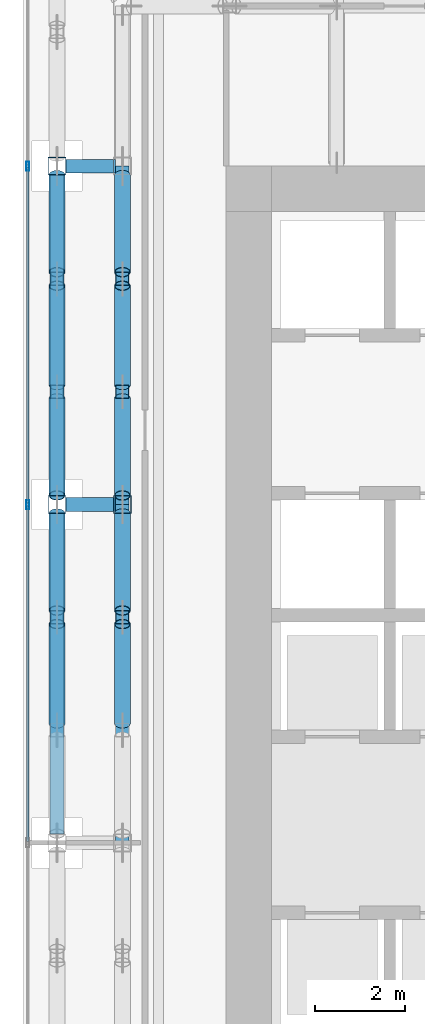
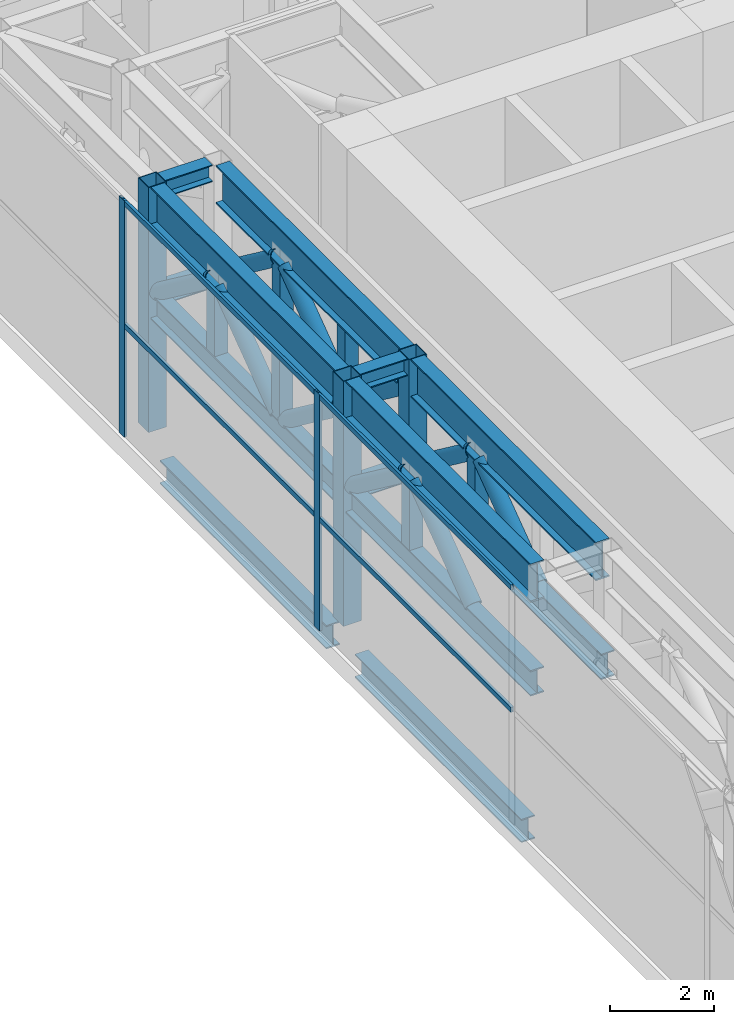
# One storey, part 18 of 47: 33 members, 6 beams, 1 element without a shape of its own.
"""IFC4 building model written with IfcOpenShell, lengths in metres."""

import ifcopenshell
import ifcopenshell.guid

model = None  # the IFC model being written
_history = None  # IfcOwnerHistory: only IFC2X3 demands one
_inside = {}  # id of a spatial element -> (the spatial element, [elements in it])
_under = {}  # id of a project, library or spatial element -> (it, [spatial elements below it])
_declared = {}  # id of a project -> (the project, [libraries it declares])
_typed = {}  # id of a type object -> (the type object, [elements of that type])
_made_of = {}  # id of a material, layer set ... -> (it, [elements and type objects made of it])


def new_model(schema):
    """Start an empty IFC model of exactly this schema.

    Asked for "IFC4X3", IfcOpenShell would pick the latest addendum, in which some entities
    have other attributes; the version numbers below select the first issue.
    IFC2X3 requires an IfcOwnerHistory on every rooted entity: one is made here for all.
    """
    global model, _history
    if schema == "IFC4X3":
        model = ifcopenshell.file(schema_version=(4, 3, 0, 0))
    else:
        model = ifcopenshell.file(schema=schema)
    _inside.clear()
    _under.clear()
    _declared.clear()
    _typed.clear()
    _made_of.clear()
    _history = None
    if model.schema == "IFC2X3":
        org = make("IfcOrganization", Name="unknown")
        user = make(
            "IfcPersonAndOrganization",
            ThePerson=make("IfcPerson", FamilyName="unknown"),
            TheOrganization=org,
        )
        app = make(
            "IfcApplication",
            ApplicationDeveloper=org,
            Version="unknown",
            ApplicationFullName="unknown",
            ApplicationIdentifier="unknown",
        )
        _history = make(
            "IfcOwnerHistory",
            OwningUser=user,
            OwningApplication=app,
            ChangeAction="ADDED",
            CreationDate=0,
        )
    return model


def make(cls, **values):
    """One entity of the class cls with the attributes given. An attribute that is None is left unset."""
    return model.create_entity(
        cls, **{name: value for name, value in values.items() if value is not None}
    )


def rooted(cls, **values):
    """An entity with a GlobalId (a new one), such as an element, a storey or a relation."""
    return make(cls, GlobalId=ifcopenshell.guid.new(), OwnerHistory=_history, **values)


def si_unit(unit_type, name, prefix=None):
    """IfcSIUnit, for example si_unit("LENGTHUNIT", "METRE", prefix="MILLI")."""
    return make("IfcSIUnit", UnitType=unit_type, Prefix=prefix, Name=name)


def assignment(units):
    """IfcUnitAssignment: the units of a project."""
    return None if units is None else make("IfcUnitAssignment", Units=units)


def point(xyz):
    """IfcCartesianPoint."""
    return None if xyz is None else make("IfcCartesianPoint", Coordinates=xyz)


def direction(xyz):
    """IfcDirection."""
    return None if xyz is None else make("IfcDirection", DirectionRatios=xyz)


def frame(location, z_axis=None, x_axis=None):
    """IfcAxis2Placement3D, a coordinate frame: its origin and axes. An axis left out is left unset."""
    return make(
        "IfcAxis2Placement3D",
        Location=point(location),
        Axis=direction(z_axis),
        RefDirection=direction(x_axis),
    )


def frame_2d(location, x_axis=None):
    """IfcAxis2Placement2D, a coordinate frame in the plane: its origin and x axis."""
    return make(
        "IfcAxis2Placement2D", Location=point(location), RefDirection=direction(x_axis)
    )


def origin():
    """The frame at (0, 0, 0) with its axes left unset."""
    return frame((0.0, 0.0, 0.0))


def origin_2d():
    """The frame at (0, 0) in the plane with its x axis left unset."""
    return frame_2d((0.0, 0.0))


def place(relative_to, where):
    """IfcLocalPlacement: puts the frame where relative to a parent placement (None: the world)."""
    return make(
        "IfcLocalPlacement", PlacementRelTo=relative_to, RelativePlacement=where
    )


def context(
    kind, dimensions, precision=None, world=None, true_north=None, identifier=None
):
    """IfcGeometricRepresentationContext, for example the 3D "Model" context."""
    return make(
        "IfcGeometricRepresentationContext",
        ContextIdentifier=identifier,
        ContextType=kind,
        CoordinateSpaceDimension=dimensions,
        Precision=precision,
        WorldCoordinateSystem=world,
        TrueNorth=true_north,
    )


def subcontext(parent, identifier, kind, view, scale=None):
    """IfcGeometricRepresentationSubContext, for example "Body" below "Model"."""
    return make(
        "IfcGeometricRepresentationSubContext",
        ContextIdentifier=identifier,
        ContextType=kind,
        ParentContext=parent,
        TargetScale=scale,
        TargetView=view,
    )


def project(units=None, contexts=None):
    """IfcProject with its units and contexts."""
    return rooted(
        "IfcProject",
        Name="project",
        RepresentationContexts=contexts,
        UnitsInContext=assignment(units),
    )


def spatial(cls, under=None, at=None, **own):
    """A site, building, storey or space (cls), placed at a placement, below another one or the project."""
    s = rooted(cls, ObjectPlacement=at, **own)
    if under is not None:
        _under.setdefault(under.id(), (under, []))[1].append(s)
    return s


def profile(cls, at=None, kind="AREA", **sizes):
    """A parametric profile (cls). Its sizes go by their IFC names, for example OverallWidth=200.0."""
    return make(cls, ProfileType=kind, Position=at, **sizes)


def hollow_rectangle(**sizes):
    """IfcRectangleHollowProfileDef."""
    return profile("IfcRectangleHollowProfileDef", **sizes)


def hollow_circle(**sizes):
    """IfcCircleHollowProfileDef."""
    return profile("IfcCircleHollowProfileDef", **sizes)


def i_section(**sizes):
    """IfcIShapeProfileDef."""
    return profile("IfcIShapeProfileDef", **sizes)


def extrude(swept, where, along, depth):
    """IfcExtrudedAreaSolid: the profile swept, set in the frame where, extruded along a direction by depth."""
    return make(
        "IfcExtrudedAreaSolid",
        SweptArea=swept,
        Position=where,
        ExtrudedDirection=direction(along),
        Depth=depth,
    )


def shape(context_of_items, identifier, shape_type, items):
    """IfcShapeRepresentation: the items that make up one representation, for example the "Body"."""
    return make(
        "IfcShapeRepresentation",
        ContextOfItems=context_of_items,
        RepresentationIdentifier=identifier,
        RepresentationType=shape_type,
        Items=items,
    )


def source(mapping_origin, context_of_items, identifier, shape_type, items):
    """IfcRepresentationMap: a shape defined once, which mapped items show again and again."""
    return make(
        "IfcRepresentationMap",
        MappingOrigin=mapping_origin,
        MappedRepresentation=shape(context_of_items, identifier, shape_type, items),
    )


def transform(
    local_origin,
    x_axis=None,
    y_axis=None,
    z_axis=None,
    scale=None,
    scale2=None,
    scale3=None,
    uniform=True,
):
    """IfcCartesianTransformationOperator3D, or its non-uniform kind. x_axis, y_axis, z_axis: its Axis1, 2, 3."""
    if uniform:
        return make(
            "IfcCartesianTransformationOperator3D",
            Axis1=direction(x_axis),
            Axis2=direction(y_axis),
            LocalOrigin=point(local_origin),
            Scale=scale,
            Axis3=direction(z_axis),
        )
    return make(
        "IfcCartesianTransformationOperator3DnonUniform",
        Axis1=direction(x_axis),
        Axis2=direction(y_axis),
        LocalOrigin=point(local_origin),
        Scale=scale,
        Axis3=direction(z_axis),
        Scale2=scale2,
        Scale3=scale3,
    )


def mapped(mapping_source, mapping_target):
    """IfcMappedItem: shows the shape of a source again, moved by a transform."""
    return make(
        "IfcMappedItem", MappingSource=mapping_source, MappingTarget=mapping_target
    )


def material(Name=None, Category=None):
    """IfcMaterial."""
    return make("IfcMaterial", Name=Name, Category=Category)


def material_profile(
    of_material, cross_section, Name=None, Category=None, Priority=None
):
    """IfcMaterialProfile: a cross section and its material."""
    return make(
        "IfcMaterialProfile",
        Name=Name,
        Material=of_material,
        Profile=cross_section,
        Priority=Priority,
        Category=Category,
    )


def profile_set(profiles, Name=None, composite=None):
    """IfcMaterialProfileSet."""
    return make(
        "IfcMaterialProfileSet",
        Name=Name,
        MaterialProfiles=profiles,
        CompositeProfile=composite,
    )


def made_of(thing, what):
    """Note that an element or type object is made of a material, layer set ...; save() writes the relation."""
    if what is not None:
        _made_of.setdefault(what.id(), (what, []))[1].append(thing)
    return thing


def type_object(cls, material=None, **own):
    """A type object (cls), such as IfcWallType, which elements share."""
    return made_of(rooted(cls, **own), material)


def element(
    cls,
    number,
    at=None,
    inside=None,
    cuts=None,
    type_object=None,
    material=None,
    context=None,
    identifier="Body",
    shape_type=None,
    held_by="IfcProductDefinitionShape",
    body=None,
    shapes=None,
    **own,
):
    """One element of the class cls, such as IfcWall. Its Tag is "e" and its number.

    at: its placement. inside: the storey or other place that contains it. cuts: it is an
    opening in that element (IfcRelVoidsElement). A single representation is given by context,
    identifier, shape_type and body (its items); several are given by shapes. held_by: the class
    of the entity that holds the representations. save() writes the other relations.
    """
    e = rooted(cls, Tag="e%d" % number, ObjectPlacement=at, **own)
    if body is not None:
        shapes = [shape(context, identifier, shape_type, body)]
    if shapes is not None:
        e.Representation = make(held_by, Representations=shapes)
    if inside is not None:
        _inside.setdefault(inside.id(), (inside, []))[1].append(e)
    if cuts is not None:
        rooted(
            "IfcRelVoidsElement", RelatingBuildingElement=cuts, RelatedOpeningElement=e
        )
    if type_object is not None:
        _typed.setdefault(type_object.id(), (type_object, []))[1].append(e)
    return made_of(e, material)


def aggregate(whole, parts):
    """IfcRelAggregates: a whole, such as a stair, and the parts it consists of."""
    return rooted("IfcRelAggregates", RelatingObject=whole, RelatedObjects=parts)


def save(model, path):
    """Write the relations noted so far, then the file.

    IfcRelAggregates (storeys below a building ...), IfcRelContainedInSpatialStructure (elements
    in a storey), IfcRelDefinesByType, IfcRelAssociatesMaterial and IfcRelDeclares: one each for
    every whole, place, type object, material and project.
    """
    for whole, parts in _under.values():
        aggregate(whole, parts)
    for where, things in _inside.values():
        rooted(
            "IfcRelContainedInSpatialStructure",
            RelatedElements=things,
            RelatingStructure=where,
        )
    for kind, things in _typed.values():
        rooted("IfcRelDefinesByType", RelatedObjects=things, RelatingType=kind)
    for what, things in _made_of.values():
        rooted("IfcRelAssociatesMaterial", RelatedObjects=things, RelatingMaterial=what)
    for by, libraries in _declared.values():
        rooted("IfcRelDeclares", RelatingContext=by, RelatedDefinitions=libraries)
    model.write(path)


model = new_model("IFC4")

# Units and contexts
model_context = context("Model", 3, precision=1e-05, world=origin(), true_north=direction((0.0, 1.0)))
body_context = subcontext(model_context, "Body", "Model", "MODEL_VIEW")
ifc_project = project(units=[si_unit("LENGTHUNIT", "METRE"), si_unit("AREAUNIT", "SQUARE_METRE"), si_unit("VOLUMEUNIT", "CUBIC_METRE"), si_unit("PLANEANGLEUNIT", "RADIAN"), si_unit("MASSUNIT", "GRAM", prefix="KILO")], contexts=[model_context])

# Site, building, storey
site_placement = place(None, origin())
site = spatial("IfcSite", under=ifc_project, at=site_placement, CompositionType="ELEMENT")
building_placement = place(site_placement, origin())
building = spatial("IfcBuilding", under=site, at=building_placement, Name="Khomas Fold Tower", CompositionType="ELEMENT")
storey_placement = place(building_placement, frame((0.0, 0.0, 158.699951171875)))
storey = spatial("IfcBuildingStorey", under=building, at=storey_placement, Name="L34", CompositionType="ELEMENT", Elevation=158.699951171875)

# Beams
ifc_material_1 = material(Name="Steel S355", Category="steel")
ifc_material_profile_1 = material_profile(ifc_material_1, i_section(OverallWidth=0.300048828125, OverallDepth=0.550048828125, WebThickness=0.014892578125, FlangeThickness=0.029052734375, at=origin_2d()), Name="HE 550 B")
ifc_profile_set_1 = profile_set([ifc_material_profile_1], Name="Steel S355")
beam_type_1 = type_object("IfcBeamType", Name="HE 550 B spandrel SB2", PredefinedType="SPANDREL", material=ifc_profile_set_1)
shared_shape_1 = source(origin(), body_context, "Body", "SweptSolid", [
    extrude(i_section(OverallWidth=0.300048828125, OverallDepth=0.550048828125, WebThickness=0.014892578125, FlangeThickness=0.029052734375, at=origin_2d()), origin(), (0.0, 0.0, 1.0), 6.39990234375),
])
for number, where, z_axis, x_axis, name in (
    (1, (2.25, 35.050048828125, -0.724853515625), (0.0, 1.0, 0.0), (-1.0, 0.0, 0.0), "SB2"),
    (2, (2.25, 27.550048828125, -0.724853515625), (0.0, 1.0, 0.0), (-1.0, 0.0, 0.0), "SB2"),
):
    element("IfcBeam", number, at=place(storey_placement, frame(where, z_axis=z_axis, x_axis=x_axis)), inside=storey, type_object=beam_type_1, Name=name, PredefinedType="SPANDREL", context=body_context, shape_type="MappedRepresentation", body=[
        mapped(shared_shape_1, transform((0.0, 0.0, 0.0))),
    ])

# Members
ifc_material_2 = material(Name="Steel S355", Category="steel")
ifc_material_profile_2 = material_profile(ifc_material_2, hollow_rectangle(XDim=0.300048828125, YDim=0.300048828125, WallThickness=0.012451171875, at=origin_2d()), Name="SHS 300x300x12.5")
ifc_profile_set_2 = profile_set([ifc_material_profile_2], Name="Steel S355")
member_type_1 = type_object("IfcMemberType", Name="BELT TRUSS 2 MID POST SHS 300x300x12.5", PredefinedType="POST", material=ifc_profile_set_2)
shared_shape_2 = source(origin(), body_context, "Body", "SweptSolid", [
    extrude(hollow_rectangle(XDim=0.300048828125, YDim=0.300048828125, WallThickness=0.012451171875, at=origin_2d()), origin(), (0.0, 0.0, 1.0), 1.60009765625),
])
for number, where, z_axis, x_axis, name in (
    (3, (2.25, 39.5, 3.25), (0.0, 0.0, 1.0), (1.0, 0.0, 0.0), "BT2-M"),
    (4, (2.25, 37.0, 3.25), (0.0, 0.0, 1.0), (1.0, 0.0, 0.0), "BT2-M"),
    (5, (2.25, 32.0, 3.25), (0.0, 0.0, 1.0), (1.0, 0.0, 0.0), "BT2-M"),
    (6, (3.699951171875, 39.5, 3.25), (0.0, 0.0, 1.0), (1.0, 0.0, 0.0), "BT2-M"),
    (7, (3.699951171875, 37.0, 3.25), (0.0, 0.0, 1.0), (1.0, 0.0, 0.0), "BT2-M"),
    (8, (3.699951171875, 32.0, 3.25), (0.0, 0.0, 1.0), (1.0, 0.0, 0.0), "BT2-M"),
):
    element("IfcMember", number, at=place(storey_placement, frame(where, z_axis=z_axis, x_axis=x_axis)), inside=storey, type_object=member_type_1, Name=name, PredefinedType="POST", context=body_context, shape_type="MappedRepresentation", body=[
        mapped(shared_shape_2, transform((0.0, 0.0, 0.0))),
    ])
ifc_material_3 = material(Name="Steel S460M", Category="steel")
ifc_material_profile_3 = material_profile(ifc_material_3, i_section(OverallWidth=0.300048828125, OverallDepth=0.89990234375, WebThickness=0.0185546875, FlangeThickness=0.034912109375, at=origin_2d()), Name="HE 900 B")
ifc_profile_set_3 = profile_set([ifc_material_profile_3], Name="Steel S460M")
member_type_2 = type_object("IfcMemberType", Name="BELT TRUSS 2 TOP CHORD HE 900 B", PredefinedType="CHORD", material=ifc_profile_set_3)
shared_shape_3 = source(origin(), body_context, "Body", "SweptSolid", [
    extrude(i_section(OverallWidth=0.300048828125, OverallDepth=0.89990234375, WebThickness=0.0185546875, FlangeThickness=0.034912109375, at=origin_2d()), origin(), (0.0, 0.0, 1.0), 7.10009765625),
])
for number, where, z_axis, x_axis, name in (
    (9, (2.25, 41.800048828125, 5.300048828125), (0.0, -1.0, 0.0), (1.0, 0.0, 0.0), "BT2-CT"),
    (10, (2.25, 34.300048828125, 5.300048828125), (0.0, -1.0, 0.0), (1.0, 0.0, 0.0), "BT2-CT"),
    (11, (3.699951171875, 41.800048828125, 5.300048828125), (0.0, -1.0, 0.0), (1.0, 0.0, 0.0), "BT2-CT"),
    (12, (3.699951171875, 34.300048828125, 5.300048828125), (0.0, -1.0, 0.0), (1.0, 0.0, 0.0), "BT2-CT"),
):
    element("IfcMember", number, at=place(storey_placement, frame(where, z_axis=z_axis, x_axis=x_axis)), inside=storey, type_object=member_type_2, Name=name, PredefinedType="CHORD", context=body_context, shape_type="MappedRepresentation", body=[
        mapped(shared_shape_3, transform((0.0, 0.0, 0.0))),
    ])
ifc_material_4 = material(Name="Steel S355", Category="steel")
ifc_material_profile_4 = material_profile(ifc_material_4, i_section(OverallWidth=0.300048828125, OverallDepth=0.60009765625, WebThickness=0.015380859375, FlangeThickness=0.030029296875, at=origin_2d()), Name="HE 600 B")
ifc_profile_set_4 = profile_set([ifc_material_profile_4], Name="Steel S355")
member_type_3 = type_object("IfcMemberType", Name="BELT TRUSS 2 BOTTOM CHORD HE 600 B", PredefinedType="CHORD", material=ifc_profile_set_4)
shared_shape_4 = source(origin(), body_context, "Body", "SweptSolid", [
    extrude(i_section(OverallWidth=0.300048828125, OverallDepth=0.60009765625, WebThickness=0.015380859375, FlangeThickness=0.030029296875, at=origin_2d()), origin(), (0.0, 0.0, 1.0), 7.10009765625),
])
for number, where, z_axis, x_axis, name in (
    (13, (2.25, 41.800048828125, 2.949951171875), (0.0, -1.0, 0.0), (1.0, 0.0, 0.0), "BT2-CB"),
    (14, (2.25, 34.300048828125, 2.949951171875), (0.0, -1.0, 0.0), (1.0, 0.0, 0.0), "BT2-CB"),
):
    element("IfcMember", number, at=place(storey_placement, frame(where, z_axis=z_axis, x_axis=x_axis)), inside=storey, type_object=member_type_3, Name=name, PredefinedType="CHORD", context=body_context, shape_type="MappedRepresentation", body=[
        mapped(shared_shape_4, transform((0.0, 0.0, 0.0))),
    ])
ifc_material_5 = material(Name="Steel S355", Category="steel")
ifc_material_profile_5 = material_profile(ifc_material_5, hollow_circle(Radius=0.177734375, WallThickness=0.01611328125, at=origin_2d()), Name="CHS 355.6x16")
ifc_profile_set_5 = profile_set([ifc_material_profile_5], Name="Steel S355")
member_type_4 = type_object("IfcMemberType", Name="BELT TRUSS 2 DIAGONAL CHS 355.6x16", PredefinedType="BRACE", material=ifc_profile_set_5)
shared_shape_5 = source(origin(), body_context, "Body", "SweptSolid", [
    extrude(hollow_circle(Radius=0.177734375, WallThickness=0.01611328125, at=origin_2d()), origin(), (0.0, 0.0, 1.0), 2.68603515625),
])
for number, where, z_axis, x_axis, name in (
    (15, (2.25, 41.800048828125, 3.2451171875), (0.0, -0.800490552016, 0.599345372998), (1.0, 0.0, 0.0), "BT2-D"),
    (16, (2.25, 36.85009765625, 3.2451171875), (0.0, -0.800490552016, 0.599345372998), (1.0, 0.0, 0.0), "BT2-D"),
    (17, (2.25, 34.300048828125, 3.2451171875), (0.0, -0.800490552016, 0.599345372998), (1.0, 0.0, 0.0), "BT2-D"),
    (18, (3.699951171875, 41.800048828125, 3.2451171875), (0.0, -0.800490552016, 0.599345372998), (1.0, 0.0, 0.0), "BT2-D"),
    (19, (3.699951171875, 36.85009765625, 3.2451171875), (0.0, -0.800490552016, 0.599345372998), (1.0, 0.0, 0.0), "BT2-D"),
    (20, (3.699951171875, 34.300048828125, 3.2451171875), (0.0, -0.800490552016, 0.599345372998), (1.0, 0.0, 0.0), "BT2-D"),
):
    element("IfcMember", number, at=place(storey_placement, frame(where, z_axis=z_axis, x_axis=x_axis)), inside=storey, type_object=member_type_4, Name=name, PredefinedType="BRACE", context=body_context, shape_type="MappedRepresentation", body=[
        mapped(shared_shape_5, transform((0.0, 0.0, 0.0))),
    ])
shared_shape_6 = source(origin(), body_context, "Body", "SweptSolid", [
    extrude(hollow_circle(Radius=0.177734375, WallThickness=0.01611328125, at=origin_2d()), origin(), (0.0, 0.0, 1.0), 2.726318359375),
])
for number, where, z_axis, x_axis, name in (
    (21, (2.25, 39.35009765625, 4.85498046875), (0.0, -0.80703657096, -0.590501459044), (1.0, 0.0, 0.0), "BT2-D"),
    (22, (2.25, 31.85009765625, 4.85498046875), (0.0, -0.80703657096, -0.590501459044), (1.0, 0.0, 0.0), "BT2-D"),
    (23, (3.699951171875, 39.35009765625, 4.85498046875), (0.0, -0.80703657096, -0.590501459044), (1.0, 0.0, 0.0), "BT2-D"),
    (24, (3.699951171875, 31.85009765625, 4.85498046875), (0.0, -0.80703657096, -0.590501459044), (1.0, 0.0, 0.0), "BT2-D"),
):
    element("IfcMember", number, at=place(storey_placement, frame(where, z_axis=z_axis, x_axis=x_axis)), inside=storey, type_object=member_type_4, Name=name, PredefinedType="BRACE", context=body_context, shape_type="MappedRepresentation", body=[
        mapped(shared_shape_6, transform((0.0, 0.0, 0.0))),
    ])
shared_shape_7 = source(origin(), body_context, "Body", "SweptSolid", [
    extrude(i_section(OverallWidth=0.300048828125, OverallDepth=0.60009765625, WebThickness=0.015380859375, FlangeThickness=0.030029296875, at=origin_2d()), origin(), (0.0, 0.0, 1.0), 7.5),
])
for number, where, z_axis, x_axis, name in (
    (25, (3.699951171875, 42.0, 2.949951171875), (0.0, -1.0, 0.0), (1.0, 0.0, 0.0), "BT2-CB"),
    (26, (3.699951171875, 34.5, 2.949951171875), (0.0, -1.0, 0.0), (1.0, 0.0, 0.0), "BT2-CB"),
):
    element("IfcMember", number, at=place(storey_placement, frame(where, z_axis=z_axis, x_axis=x_axis)), inside=storey, type_object=member_type_3, Name=name, PredefinedType="CHORD", context=body_context, shape_type="MappedRepresentation", body=[
        mapped(shared_shape_7, transform((0.0, 0.0, 0.0))),
    ])
ifc_material_6 = material(Name="Steel S460M", Category="steel")
ifc_material_profile_6 = material_profile(ifc_material_6, hollow_rectangle(XDim=0.39990234375, YDim=0.39990234375, WallThickness=0.01611328125, at=origin_2d()), Name="SHS 400x400x16")
ifc_profile_set_6 = profile_set([ifc_material_profile_6], Name="Steel S460M")
member_type_5 = type_object("IfcMemberType", Name="BELT TRUSS 2 COLUMN POST SHS 400x400x16", PredefinedType="POST", material=ifc_profile_set_6)
shared_shape_8 = source(origin(), body_context, "Body", "SweptSolid", [
    extrude(hollow_rectangle(XDim=0.39990234375, YDim=0.39990234375, WallThickness=0.01611328125, at=origin_2d()), origin(), (0.0, 0.0, 1.0), 5.75),
])
for number, where, z_axis, x_axis, name in (
    (27, (2.25, 42.0, 0.0), (0.0, 0.0, 1.0), (1.0, 0.0, 0.0), "BT2-P"),
    (28, (2.25, 34.5, 0.0), (0.0, 0.0, 1.0), (1.0, 0.0, 0.0), "BT2-P"),
):
    element("IfcMember", number, at=place(storey_placement, frame(where, z_axis=z_axis, x_axis=x_axis)), inside=storey, type_object=member_type_5, Name=name, PredefinedType="POST", context=body_context, shape_type="MappedRepresentation", body=[
        mapped(shared_shape_8, transform((0.0, 0.0, 0.0))),
    ])
ifc_material_7 = material(Name="Steel S460M", Category="steel")
ifc_material_profile_7 = material_profile(ifc_material_7, hollow_rectangle(XDim=0.39990234375, YDim=0.39990234375, WallThickness=0.01611328125, at=origin_2d()), Name="SHS 400x400x16")
ifc_profile_set_7 = profile_set([ifc_material_profile_7], Name="Steel S460M")
member_type_6 = type_object("IfcMemberType", Name="BELT TRUSS 2 COLUMN POST SHORT SHS 400x400x16", PredefinedType="POST", material=ifc_profile_set_7)
shared_shape_9 = source(origin(), body_context, "Body", "SweptSolid", [
    extrude(hollow_rectangle(XDim=0.39990234375, YDim=0.39990234375, WallThickness=0.01611328125, at=origin_2d()), origin(), (0.0, 0.0, 1.0), 2.5),
])
member_1_placement = place(storey_placement, frame((3.699951171875, 34.5, 3.25), z_axis=(0.0, 0.0, 1.0), x_axis=(1.0, 0.0, 0.0)))
element("IfcMember", 29, at=member_1_placement, inside=storey, type_object=member_type_6, Name="BT2-PS", PredefinedType="POST", context=body_context, shape_type="MappedRepresentation", body=[
    mapped(shared_shape_9, transform((0.0, 0.0, 0.0))),
])

# Beams
ifc_material_8 = material(Name="Steel S355", Category="steel")
ifc_material_profile_8 = material_profile(ifc_material_8, i_section(OverallWidth=0.300048828125, OverallDepth=0.39990234375, WebThickness=0.013427734375, FlangeThickness=0.02392578125, at=origin_2d()), Name="HE 400 B")
ifc_profile_set_8 = profile_set([ifc_material_profile_8], Name="Steel S355")
beam_type_2 = type_object("IfcBeamType", Name="BELT TRUSS 2 TOP STRUT HE 400 B", PredefinedType="BEAM", material=ifc_profile_set_8)
shared_shape_10 = source(origin(), body_context, "Body", "SweptSolid", [
    extrude(i_section(OverallWidth=0.300048828125, OverallDepth=0.39990234375, WebThickness=0.013427734375, FlangeThickness=0.02392578125, at=origin_2d()), origin(), (0.0, 0.0, 1.0), 1.050048828125),
])
for number, where, z_axis, x_axis, name in (
    (30, (3.5, 34.5, 5.550048828125), (-1.0, 0.0, 0.0), (0.0, -1.0, 0.0), "BT2-ST"),
    (31, (3.5, 42.0, 5.550048828125), (-1.0, 0.0, 0.0), (0.0, -1.0, 0.0), "BT2-ST"),
):
    element("IfcBeam", number, at=place(storey_placement, frame(where, z_axis=z_axis, x_axis=x_axis)), inside=storey, type_object=beam_type_2, Name=name, PredefinedType="BEAM", context=body_context, shape_type="MappedRepresentation", body=[
        mapped(shared_shape_10, transform((0.0, 0.0, 0.0))),
    ])
ifc_material_9 = material(Name="Steel S355", Category="steel")
ifc_material_profile_9 = material_profile(ifc_material_9, i_section(OverallWidth=0.300048828125, OverallDepth=0.39990234375, WebThickness=0.013427734375, FlangeThickness=0.02392578125, at=origin_2d()), Name="HE 400 B")
ifc_profile_set_9 = profile_set([ifc_material_profile_9], Name="Steel S355")
beam_type_3 = type_object("IfcBeamType", Name="BELT TRUSS 2 BOTTOM STRUT HE 400 B", PredefinedType="BEAM", material=ifc_profile_set_9)
shared_shape_11 = source(origin(), body_context, "Body", "SweptSolid", [
    extrude(i_section(OverallWidth=0.300048828125, OverallDepth=0.39990234375, WebThickness=0.013427734375, FlangeThickness=0.02392578125, at=origin_2d()), origin(), (0.0, 0.0, 1.0), 1.10009765625),
])
for number, where, z_axis, x_axis, name in (
    (32, (3.550048828125, 34.5, 3.050048828125), (-1.0, 0.0, 0.0), (0.0, -1.0, 0.0), "BT2-SB"),
    (33, (3.550048828125, 42.0, 3.050048828125), (-1.0, 0.0, 0.0), (0.0, -1.0, 0.0), "BT2-SB"),
):
    element("IfcBeam", number, at=place(storey_placement, frame(where, z_axis=z_axis, x_axis=x_axis)), inside=storey, type_object=beam_type_3, Name=name, PredefinedType="BEAM", context=body_context, shape_type="MappedRepresentation", body=[
        mapped(shared_shape_11, transform((0.0, 0.0, 0.0))),
    ])

# Curtain wall, members
ifc_material_10 = material(Name="Aluminium framed double glazing", Category="aluminium")
curtain_wall_type = type_object("IfcCurtainWallType", Name="SK-Unitised clear-glass wall, growing floors CW1", PredefinedType="NOTDEFINED", material=ifc_material_10)
curtain_wall_placement = place(storey_placement, origin())
curtain_wall = element("IfcCurtainWall", 34, at=curtain_wall_placement, inside=storey, type_object=curtain_wall_type, Name="CW1 run L34 18-0", PredefinedType="NOTDEFINED")
ifc_material_11 = material(Name="Aluminium", Category="aluminium")
ifc_material_profile_10 = material_profile(ifc_material_11, hollow_rectangle(XDim=0.06005859375, YDim=0.1201171875, WallThickness=0.00390625, at=origin_2d()), Name="SK-Unitised clear-glass wall, growing floors transom CW1-T")
ifc_profile_set_10 = profile_set([ifc_material_profile_10], Name="Aluminium")
member_type_7 = type_object("IfcMemberType", Name="SK-Unitised clear-glass wall, growing floors transom CW1-T", PredefinedType="USERDEFINED", material=ifc_profile_set_10)
shared_shape_12 = source(origin(), body_context, "Body", "SweptSolid", [
    extrude(hollow_rectangle(XDim=0.06005859375, YDim=0.1201171875, WallThickness=0.00390625, at=origin_2d()), origin(), (0.0, 0.0, 1.0), 7.43994140625),
])
member_2_placement = place(storey_placement, frame((1.60009765625, 41.969970703125, 5.489990234375), z_axis=(0.0, -1.0, 0.0), x_axis=(1.0, 0.0, 0.0)))
member_2 = element("IfcMember", 35, at=member_2_placement, type_object=member_type_7, Name="CW1 transom 3", ObjectType="TRANSOM", PredefinedType="USERDEFINED", context=body_context, shape_type="MappedRepresentation", body=[
    mapped(shared_shape_12, transform((0.0, 0.0, 0.0))),
])
member_3_placement = place(storey_placement, frame((1.60009765625, 41.969970703125, 2.6171875), z_axis=(0.0, -1.0, 0.0), x_axis=(1.0, 0.0, 0.0)))
member_3 = element("IfcMember", 36, at=member_3_placement, type_object=member_type_7, Name="CW1 transom 3 (truss floor)", ObjectType="TRANSOM", PredefinedType="USERDEFINED", context=body_context, shape_type="MappedRepresentation", body=[
    mapped(shared_shape_12, transform((0.0, 0.0, 0.0))),
])
member_4_placement = place(storey_placement, frame((1.60009765625, 34.469970703125, 5.489990234375), z_axis=(0.0, -1.0, 0.0), x_axis=(1.0, 0.0, 0.0)))
member_4 = element("IfcMember", 37, at=member_4_placement, type_object=member_type_7, Name="CW1 transom 4", ObjectType="TRANSOM", PredefinedType="USERDEFINED", context=body_context, shape_type="MappedRepresentation", body=[
    mapped(shared_shape_12, transform((0.0, 0.0, 0.0))),
])
member_5_placement = place(storey_placement, frame((1.60009765625, 34.469970703125, 2.6171875), z_axis=(0.0, -1.0, 0.0), x_axis=(1.0, 0.0, 0.0)))
member_5 = element("IfcMember", 38, at=member_5_placement, type_object=member_type_7, Name="CW1 transom 4 (truss floor)", ObjectType="TRANSOM", PredefinedType="USERDEFINED", context=body_context, shape_type="MappedRepresentation", body=[
    mapped(shared_shape_12, transform((0.0, 0.0, 0.0))),
])
ifc_material_12 = material(Name="Aluminium", Category="aluminium")
ifc_material_profile_11 = material_profile(ifc_material_12, hollow_rectangle(XDim=0.06005859375, YDim=0.199951171875, WallThickness=0.00390625, at=origin_2d()), Name="SK-Unitised clear-glass wall, growing floors mullion CW1-M")
ifc_profile_set_11 = profile_set([ifc_material_profile_11], Name="Aluminium")
member_type_8 = type_object("IfcMemberType", Name="SK-Unitised clear-glass wall, growing floors mullion CW1-M", PredefinedType="MULLION", material=ifc_profile_set_11)
shared_shape_13 = source(origin(), body_context, "Body", "SweptSolid", [
    extrude(hollow_rectangle(XDim=0.06005859375, YDim=0.199951171875, WallThickness=0.00390625, at=origin_2d()), origin(), (0.0, 0.0, 1.0), 5.550048828125),
])
member_6_placement = place(storey_placement, frame((1.60009765625, 42.0, 0.0), z_axis=(0.0, 0.0, 1.0), x_axis=(1.0, 0.0, 0.0)))
member_6 = element("IfcMember", 39, at=member_6_placement, type_object=member_type_8, Name="CW1 mullion 3", PredefinedType="MULLION", context=body_context, shape_type="MappedRepresentation", body=[
    mapped(shared_shape_13, transform((0.0, 0.0, 0.0))),
])
member_7_placement = place(storey_placement, frame((1.60009765625, 34.5, 0.0), z_axis=(0.0, 0.0, 1.0), x_axis=(1.0, 0.0, 0.0)))
member_7 = element("IfcMember", 40, at=member_7_placement, type_object=member_type_8, Name="CW1 mullion 4", PredefinedType="MULLION", context=body_context, shape_type="MappedRepresentation", body=[
    mapped(shared_shape_13, transform((0.0, 0.0, 0.0))),
])
aggregate(curtain_wall, [member_6, member_7, member_2, member_3, member_4, member_5])

save(model, "model.ifc")
